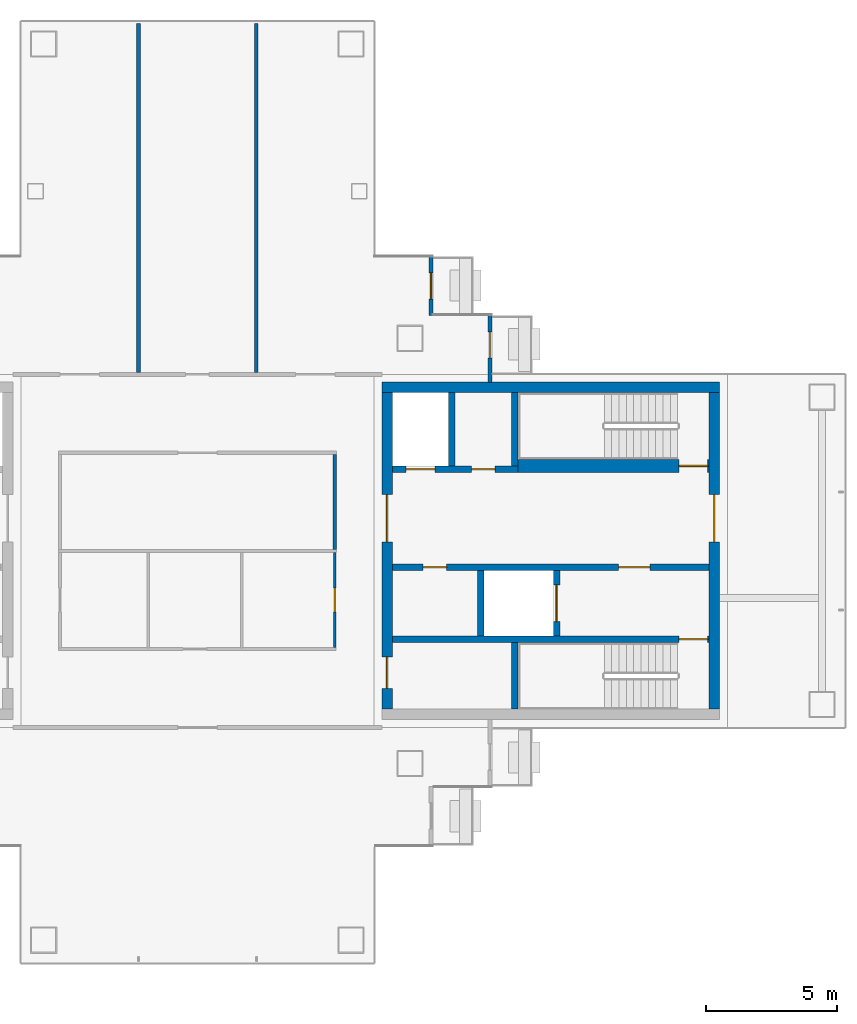
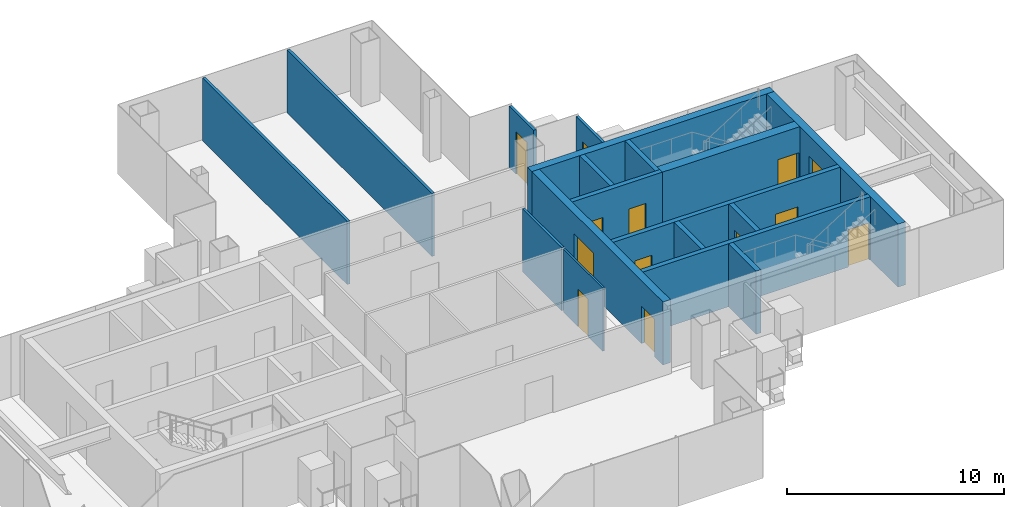
# One storey, part 12 of 16: 18 walls, 13 doors, 13 openings.
"""IFC4 building model written with IfcOpenShell, lengths in metres."""

from ifc_helpers import new_model, si_unit, direction, frame, frame_2d, origin, place, context, subcontext, project, spatial, rectangle, extrude, material, layer, layer_set, type_object, element, fill, save


model = new_model("IFC4")

# Units and contexts
model_context = context("Model", 3, precision=1e-05, world=origin(), true_north=direction((0.0, 1.0)))
body_context = subcontext(model_context, "Body", "Model", "MODEL_VIEW")
ifc_project = project(units=[si_unit("LENGTHUNIT", "METRE"), si_unit("AREAUNIT", "SQUARE_METRE"), si_unit("VOLUMEUNIT", "CUBIC_METRE"), si_unit("PLANEANGLEUNIT", "RADIAN"), si_unit("MASSUNIT", "GRAM", prefix="KILO")], contexts=[model_context])

# Site, building, storey
site_placement = place(None, origin())
site = spatial("IfcSite", under=ifc_project, at=site_placement, CompositionType="ELEMENT")
building_placement = place(site_placement, origin())
building = spatial("IfcBuilding", under=site, at=building_placement, Name="Shamsa Quay Exchange Towers", CompositionType="ELEMENT")
storey_placement = place(building_placement, frame((0.0, 0.0, 186.60009765625)))
storey = spatial("IfcBuildingStorey", under=building, at=storey_placement, Name="L44", CompositionType="ELEMENT", Elevation=186.60009765625)

# Wall, opening, door
ifc_material_1 = material(Name="Aluminium EN AW-6063 T6, black anodised, with black enamelled glass infill", Category="aluminium")
ifc_layer_1 = layer(ifc_material_1, 0.14990234375)
ifc_layer_set_1 = layer_set([ifc_layer_1], Name="BALCONY DOOR BAY WALL 150")
wall_type_1 = type_object("IfcWallType", Name="BALCONY DOOR BAY WALL 150", PredefinedType="SOLIDWALL", material=ifc_layer_set_1)
wall_1_placement = place(storey_placement, frame((42.675048828125, 11.25, 0.0), z_axis=(0.0, 0.0, 1.0), x_axis=(0.0, -1.0, 0.0)))
wall_1 = element("IfcWall", 1, at=wall_1_placement, inside=storey, type_object=wall_type_1, Name="Door bay T2-PKES L44", PredefinedType="SOLIDWALL", context=body_context, shape_type="SweptSolid", body=[
    extrude(rectangle(XDim=2.25, YDim=0.14990234375, at=frame_2d((1.125, 0.0))), origin(), (0.0, 0.0, 1.0), 3.449951171875),
])
opening_1_placement = place(wall_1_placement, frame((0.625, 0.0, 0.0)))
opening_1 = element("IfcOpeningElement", 2, at=opening_1_placement, cuts=wall_1, Name="Opening XD283", PredefinedType="OPENING", context=body_context, shape_type="SweptSolid", body=[
    extrude(rectangle(XDim=1.0, YDim=2.39990234375, at=frame_2d((0.5, 1.199951171875))), frame((0.0, 0.0849609375, 0.0), z_axis=(0.0, -1.0, 0.0), x_axis=(1.0, 0.0, 0.0)), (0.0, 0.0, 1.0), 0.169921875),
])
ifc_material_2 = material(Name="Aluminium EN AW-6063 T6, black anodised, with laminated glass leaf", Category="aluminium")
door_type_1 = type_object("IfcDoorType", Name="BALCONY DOOR 1000x2400", OperationType="SINGLE_SWING_LEFT", PredefinedType="DOOR", material=ifc_material_2)
door_1_placement = place(opening_1_placement, origin())
door_1 = element("IfcDoor", 3, at=door_1_placement, inside=storey, type_object=door_type_1, Name="Balcony door T2-PKES L44", OperationType="SINGLE_SWING_RIGHT", OverallHeight=2.39990234375, OverallWidth=1.0, PredefinedType="DOOR", context=body_context, shape_type="SweptSolid", body=[
    extrude(rectangle(XDim=1.0, YDim=2.39990234375, at=frame_2d((0.5, 1.199951171875))), frame((0.0, 0.02490234375, 0.0), z_axis=(0.0, -1.0, 0.0), x_axis=(1.0, 0.0, 0.0)), (0.0, 0.0, 1.0), 0.050048828125),
])
fill(opening_1, door_1)

wall_2_placement = place(storey_placement, frame((44.925048828125, 9.0, 0.0), z_axis=(0.0, 0.0, 1.0), x_axis=(0.0, -1.0, 0.0)))
wall_2 = element("IfcWall", 4, at=wall_2_placement, inside=storey, type_object=wall_type_1, Name="Door bay T2-PKES L44", PredefinedType="SOLIDWALL", context=body_context, shape_type="SweptSolid", body=[
    extrude(rectangle(XDim=2.556884765625, YDim=0.14990234375, at=frame_2d((1.2783203125, 0.0))), origin(), (0.0, 0.0, 1.0), 3.449951171875),
])
opening_2_placement = place(wall_2_placement, frame((0.625, 0.0, 0.0)))
opening_2 = element("IfcOpeningElement", 5, at=opening_2_placement, cuts=wall_2, Name="Opening XD284", PredefinedType="OPENING", context=body_context, shape_type="SweptSolid", body=[
    extrude(rectangle(XDim=1.0, YDim=2.39990234375, at=frame_2d((0.5, 1.199951171875))), frame((0.0, 0.0849609375, 0.0), z_axis=(0.0, -1.0, 0.0), x_axis=(1.0, 0.0, 0.0)), (0.0, 0.0, 1.0), 0.169921875),
])
door_2_placement = place(opening_2_placement, origin())
door_2 = element("IfcDoor", 6, at=door_2_placement, inside=storey, type_object=door_type_1, Name="Balcony door T2-PKES L44", OperationType="SINGLE_SWING_LEFT", OverallHeight=2.39990234375, OverallWidth=1.0, PredefinedType="DOOR", context=body_context, shape_type="SweptSolid", body=[
    extrude(rectangle(XDim=1.0, YDim=2.39990234375, at=frame_2d((0.5, 1.199951171875))), frame((0.0, 0.02490234375, 0.0), z_axis=(0.0, -1.0, 0.0), x_axis=(1.0, 0.0, 0.0)), (0.0, 0.0, 1.0), 0.050048828125),
])
fill(opening_2, door_2)

# Wall
ifc_material_3 = material(Name="Concrete C60/75", Category="concrete")
ifc_layer_2 = layer(ifc_material_3, 0.39990234375)
ifc_layer_set_2 = layer_set([ifc_layer_2], Name="CORE WALL 400 C60/75")
wall_type_2 = type_object("IfcWallType", Name="CORE WALL 400 C60/75", PredefinedType="SHEAR", material=ifc_layer_set_2)
wall_3_placement = place(storey_placement, frame((53.699951171875, 6.25, 0.0), z_axis=(0.0, 0.0, 1.0), x_axis=(-1.0, 0.0, 0.0)))
element("IfcWall", 7, at=wall_3_placement, inside=storey, type_object=wall_type_2, Name="Core wall T2B-R20-PN", PredefinedType="SHEAR", context=body_context, shape_type="SweptSolid", body=[
    extrude(rectangle(XDim=12.89990234375, YDim=0.39990234375, at=frame_2d((6.449951171875, 0.0))), origin(), (0.0, 0.0, 1.0), 3.5498046875),
])

# Wall, opening, door
wall_4_placement = place(storey_placement, frame((53.5, -6.050048828125, 0.0), z_axis=(0.0, 0.0, 1.0), x_axis=(0.0, 1.0, 0.0)))
wall_4 = element("IfcWall", 8, at=wall_4_placement, inside=storey, type_object=wall_type_2, Name="Core wall T2B-R20-PF", PredefinedType="SHEAR", context=body_context, shape_type="SweptSolid", body=[
    extrude(rectangle(XDim=12.10009765625, YDim=0.39990234375, at=frame_2d((6.050048828125, 0.0))), origin(), (0.0, 0.0, 1.0), 3.5498046875),
])
opening_3_placement = place(wall_4_placement, frame((6.39990234375, 0.0, 0.0)))
opening_3 = element("IfcOpeningElement", 9, at=opening_3_placement, cuts=wall_4, Name="Opening T2B-R20-LBD01", PredefinedType="OPENING", context=body_context, shape_type="SweptSolid", body=[
    extrude(rectangle(XDim=1.800048828125, YDim=2.39990234375, at=frame_2d((0.89990234375, 1.199951171875))), frame((0.0, 0.2099609375, 0.0), z_axis=(0.0, -1.0, 0.0), x_axis=(1.0, 0.0, 0.0)), (0.0, 0.0, 1.0), 0.419921875),
])
ifc_material_4 = material(Name="Steel, fire rated", Category="steel")
door_type_2 = type_object("IfcDoorType", Name="LIFT LOBBY DOOR PAIR 1800", OperationType="DOUBLE_DOOR_SINGLE_SWING", PredefinedType="DOOR", material=ifc_material_4)
door_3_placement = place(opening_3_placement, origin())
door_3 = element("IfcDoor", 10, at=door_3_placement, inside=storey, type_object=door_type_2, Name="T2B-R20-LBD01", OperationType="DOUBLE_DOOR_SINGLE_SWING", OverallHeight=2.39990234375, OverallWidth=1.800048828125, PredefinedType="DOOR", context=body_context, shape_type="SweptSolid", body=[
    extrude(rectangle(XDim=1.800048828125, YDim=2.39990234375, at=frame_2d((0.89990234375, 1.199951171875))), frame((0.0, 0.02490234375, 0.0), z_axis=(0.0, -1.0, 0.0), x_axis=(1.0, 0.0, 0.0)), (0.0, 0.0, 1.0), 0.050048828125),
])
fill(opening_3, door_3)

# Wall, openings, doors
wall_5_placement = place(storey_placement, frame((41.0, -6.050048828125, 0.0), z_axis=(0.0, 0.0, 1.0), x_axis=(0.0, 1.0, 0.0)))
wall_5 = element("IfcWall", 11, at=wall_5_placement, inside=storey, type_object=wall_type_2, Name="Core wall T2B-R20-PB", PredefinedType="SHEAR", context=body_context, shape_type="SweptSolid", body=[
    extrude(rectangle(XDim=12.10009765625, YDim=0.39990234375, at=frame_2d((6.050048828125, 0.0))), origin(), (0.0, 0.0, 1.0), 3.5498046875),
])
opening_4_placement = place(wall_5_placement, frame((0.800048828125, 0.0, 0.0)))
opening_4 = element("IfcOpeningElement", 12, at=opening_4_placement, cuts=wall_5, Name="Opening T2B-R20-RD02", PredefinedType="OPENING", context=body_context, shape_type="SweptSolid", body=[
    extrude(rectangle(XDim=1.199951171875, YDim=2.10009765625, at=frame_2d((0.60009765625, 1.050048828125))), frame((0.0, 0.2099609375, 0.0), z_axis=(0.0, -1.0, 0.0), x_axis=(1.0, 0.0, 0.0)), (0.0, 0.0, 1.0), 0.419921875),
])
opening_5_placement = place(wall_5_placement, frame((6.39990234375, 0.0, 0.0)))
opening_5 = element("IfcOpeningElement", 13, at=opening_5_placement, cuts=wall_5, Name="Opening T2B-R20-LBD03", PredefinedType="OPENING", context=body_context, shape_type="SweptSolid", body=[
    extrude(rectangle(XDim=1.800048828125, YDim=2.39990234375, at=frame_2d((0.89990234375, 1.199951171875))), frame((0.0, 0.2099609375, 0.0), z_axis=(0.0, -1.0, 0.0), x_axis=(1.0, 0.0, 0.0)), (0.0, 0.0, 1.0), 0.419921875),
])
door_4_placement = place(opening_5_placement, origin())
door_4 = element("IfcDoor", 14, at=door_4_placement, inside=storey, type_object=door_type_2, Name="T2B-R20-LBD03", OperationType="DOUBLE_DOOR_SINGLE_SWING", OverallHeight=2.39990234375, OverallWidth=1.800048828125, PredefinedType="DOOR", context=body_context, shape_type="SweptSolid", body=[
    extrude(rectangle(XDim=1.800048828125, YDim=2.39990234375, at=frame_2d((0.89990234375, 1.199951171875))), frame((0.0, 0.02490234375, 0.0), z_axis=(0.0, -1.0, 0.0), x_axis=(1.0, 0.0, 0.0)), (0.0, 0.0, 1.0), 0.050048828125),
])
fill(opening_5, door_4)
door_type_3 = type_object("IfcDoorType", Name="RISER ACCESS DOOR 1200", OperationType="SINGLE_SWING_LEFT", PredefinedType="DOOR", material=ifc_material_4)
door_5_placement = place(opening_4_placement, origin())
door_5 = element("IfcDoor", 15, at=door_5_placement, inside=storey, type_object=door_type_3, Name="T2B-R20-RD02", OperationType="SINGLE_SWING_LEFT", OverallHeight=2.10009765625, OverallWidth=1.199951171875, PredefinedType="DOOR", context=body_context, shape_type="SweptSolid", body=[
    extrude(rectangle(XDim=1.199951171875, YDim=2.10009765625, at=frame_2d((0.60009765625, 1.050048828125))), frame((0.0, 0.02490234375, 0.0), z_axis=(0.0, -1.0, 0.0), x_axis=(1.0, 0.0, 0.0)), (0.0, 0.0, 1.0), 0.050048828125),
])
fill(opening_4, door_5)

# Wall
ifc_material_5 = material(Name="Laminated fire-resisting glass in a metal frame", Category="glass")
ifc_layer_3 = layer(ifc_material_5, 0.125)
ifc_layer_set_3 = layer_set([ifc_layer_3], Name="Glazed partition 125 mm EI 60")
wall_type_3 = type_object("IfcWallType", Name="Glazed partition 125 mm EI 60", PredefinedType="PARTITIONING", material=ifc_layer_set_3)
wall_6_placement = place(storey_placement, frame((39.0, 0.0625, 0.0), z_axis=(0.0, 0.0, 1.0), x_axis=(0.0, 1.0, 0.0)))
element("IfcWall", 16, at=wall_6_placement, inside=storey, type_object=wall_type_3, Name="Partition T2-R20-W04", PredefinedType="PARTITIONING", context=body_context, shape_type="SweptSolid", body=[
    extrude(rectangle(XDim=3.625, YDim=0.125, at=frame_2d((1.8125, 0.0))), origin(), (0.0, 0.0, 1.0), 3.5498046875),
])

# Wall, opening, door
ifc_material_6 = material(Name="Gypsum board partition on metal studs")
ifc_layer_4 = layer(ifc_material_6, 0.10009765625)
ifc_layer_set_4 = layer_set([ifc_layer_4], Name="Partition 100 mm NOT RATED")
wall_type_4 = type_object("IfcWallType", Name="Partition 100 mm NOT RATED", PredefinedType="PARTITIONING", material=ifc_layer_set_4)
wall_7_placement = place(storey_placement, frame((39.0, -3.699951171875, 0.0), z_axis=(0.0, 0.0, 1.0), x_axis=(0.0, 1.0, 0.0)))
wall_7 = element("IfcWall", 17, at=wall_7_placement, inside=storey, type_object=wall_type_4, Name="Partition T2-R20-W01", PredefinedType="PARTITIONING", context=body_context, shape_type="SweptSolid", body=[
    extrude(rectangle(XDim=3.637451171875, YDim=0.10009765625, at=frame_2d((1.81884765625, 0.0))), origin(), (0.0, 0.0, 1.0), 3.5498046875),
])
opening_6_placement = place(wall_7_placement, frame((1.375, 0.0, 0.0)))
opening_6 = element("IfcOpeningElement", 18, at=opening_6_placement, cuts=wall_7, Name="Opening T2-R20-D05", PredefinedType="OPENING", context=body_context, shape_type="SweptSolid", body=[
    extrude(rectangle(XDim=0.89990234375, YDim=2.10009765625, at=frame_2d((0.449951171875, 1.050048828125))), frame((0.0, 0.06005859375, 0.0), z_axis=(0.0, -1.0, 0.0), x_axis=(1.0, 0.0, 0.0)), (0.0, 0.0, 1.0), 0.1201171875),
])
ifc_material_7 = material(Name="Timber door leaf in a metal frame", Category="wood")
door_type_4 = type_object("IfcDoorType", Name="Door 900x2100 NOT RATED", OperationType="NOTDEFINED", PredefinedType="DOOR", material=ifc_material_7)
door_6_placement = place(opening_6_placement, origin())
door_6 = element("IfcDoor", 19, at=door_6_placement, inside=storey, type_object=door_type_4, Name="Door T2-R20-D05", OperationType="SINGLE_SWING_RIGHT", OverallHeight=2.10009765625, OverallWidth=0.89990234375, PredefinedType="DOOR", context=body_context, shape_type="SweptSolid", body=[
    extrude(rectangle(XDim=0.89990234375, YDim=2.10009765625, at=frame_2d((0.449951171875, 1.050048828125))), frame((0.0, 0.02490234375, 0.0), z_axis=(0.0, -1.0, 0.0), x_axis=(1.0, 0.0, 0.0)), (0.0, 0.0, 1.0), 0.050048828125),
])
fill(opening_6, door_6)

# Walls
ifc_layer_5 = layer(ifc_material_6, 0.14990234375)
ifc_layer_set_5 = layer_set([ifc_layer_5], Name="Partition 150 mm EI 60")
wall_type_5 = type_object("IfcWallType", Name="Partition 150 mm EI 60", PredefinedType="PARTITIONING", material=ifc_layer_set_5)
for number, where, z_axis, x_axis, name in (
    (20, (36.0, 20.155029296875, 0.0), (0.0, 0.0, 1.0), (0.0, -1.0, 0.0), "Partition T2-R20-W12"),
    (21, (31.5, 20.155029296875, 0.0), (0.0, 0.0, 1.0), (0.0, -1.0, 0.0), "Partition T2-R20-W13"),
):
    element("IfcWall", number, at=place(storey_placement, frame(where, z_axis=z_axis, x_axis=x_axis)), inside=storey, type_object=wall_type_5, Name=name, PredefinedType="PARTITIONING", context=body_context, shape_type="SweptSolid", body=[
        extrude(rectangle(XDim=13.330078125, YDim=0.14990234375, at=frame_2d((6.6650390625, 0.0))), origin(), (0.0, 0.0, 1.0), 3.5498046875),
    ])

# Wall, opening, door
ifc_material_8 = material(Name="Concrete C50/60", Category="concrete")
ifc_layer_6 = layer(ifc_material_8, 0.25)
ifc_layer_set_6 = layer_set([ifc_layer_6], Name="SHAFT WALL 250 C50/60")
wall_type_6 = type_object("IfcWallType", Name="SHAFT WALL 250 C50/60", PredefinedType="SHEAR", material=ifc_layer_set_6)
wall_8_placement = place(storey_placement, frame((53.300048828125, -3.375, 0.0), z_axis=(0.0, 0.0, 1.0), x_axis=(-1.0, 0.0, 0.0)))
wall_8 = element("IfcWall", 22, at=wall_8_placement, inside=storey, type_object=wall_type_6, Name="Shaft wall T2B-R20-STL", PredefinedType="SHEAR", context=body_context, shape_type="SweptSolid", body=[
    extrude(rectangle(XDim=12.10009765625, YDim=0.25, at=frame_2d((6.050048828125, 0.0))), origin(), (0.0, 0.0, 1.0), 3.5498046875),
])
opening_7_placement = place(wall_8_placement, frame((0.050048828125, 0.0, 0.0)))
opening_7 = element("IfcOpeningElement", 23, at=opening_7_placement, cuts=wall_8, Name="Opening T2B-R20-SD04", PredefinedType="OPENING", context=body_context, shape_type="SweptSolid", body=[
    extrude(rectangle(XDim=1.10009765625, YDim=2.10009765625, at=frame_2d((0.550048828125, 1.050048828125))), frame((0.0, 0.135009765625, 0.0), z_axis=(0.0, -1.0, 0.0), x_axis=(1.0, 0.0, 0.0)), (0.0, 0.0, 1.0), 0.27001953125),
])
door_type_5 = type_object("IfcDoorType", Name="STAIR DOOR 1100", OperationType="SINGLE_SWING_LEFT", PredefinedType="DOOR", material=ifc_material_4)
door_7_placement = place(opening_7_placement, origin())
door_7 = element("IfcDoor", 24, at=door_7_placement, inside=storey, type_object=door_type_5, Name="T2B-R20-SD04", OperationType="SINGLE_SWING_LEFT", OverallHeight=2.10009765625, OverallWidth=1.10009765625, PredefinedType="DOOR", context=body_context, shape_type="SweptSolid", body=[
    extrude(rectangle(XDim=1.10009765625, YDim=2.10009765625, at=frame_2d((0.550048828125, 1.050048828125))), frame((0.0, 0.02490234375, 0.0), z_axis=(0.0, -1.0, 0.0), x_axis=(1.0, 0.0, 0.0)), (0.0, 0.0, 1.0), 0.050048828125),
])
fill(opening_7, door_7)

# Wall
wall_9_placement = place(storey_placement, frame((45.875, -6.050048828125, 0.0), z_axis=(0.0, 0.0, 1.0), x_axis=(0.0, 1.0, 0.0)))
element("IfcWall", 25, at=wall_9_placement, inside=storey, type_object=wall_type_6, Name="Shaft wall T2B-R20-STF", PredefinedType="SHEAR", context=body_context, shape_type="SweptSolid", body=[
    extrude(rectangle(XDim=2.550048828125, YDim=0.25, at=frame_2d((1.27490234375, 0.0))), origin(), (0.0, 0.0, 1.0), 3.5498046875),
])

# Wall, openings, doors
wall_10_placement = place(storey_placement, frame((53.300048828125, -0.625, 0.0), z_axis=(0.0, 0.0, 1.0), x_axis=(-1.0, 0.0, 0.0)))
wall_10 = element("IfcWall", 26, at=wall_10_placement, inside=storey, type_object=wall_type_6, Name="Shaft wall T2B-R20-B", PredefinedType="SHEAR", context=body_context, shape_type="SweptSolid", body=[
    extrude(rectangle(XDim=12.10009765625, YDim=0.25, at=frame_2d((6.050048828125, 0.0))), origin(), (0.0, 0.0, 1.0), 3.5498046875),
])
opening_8_placement = place(wall_10_placement, frame((2.25, 0.0, 0.0)))
opening_8 = element("IfcOpeningElement", 27, at=opening_8_placement, cuts=wall_10, Name="Opening T2B-R20-FD05", PredefinedType="OPENING", context=body_context, shape_type="SweptSolid", body=[
    extrude(rectangle(XDim=1.199951171875, YDim=2.10009765625, at=frame_2d((0.60009765625, 1.050048828125))), frame((0.0, 0.135009765625, 0.0), z_axis=(0.0, -1.0, 0.0), x_axis=(1.0, 0.0, 0.0)), (0.0, 0.0, 1.0), 0.27001953125),
])
opening_9_placement = place(wall_10_placement, frame((10.02490234375, 0.0, 0.0)))
opening_9 = element("IfcOpeningElement", 28, at=opening_9_placement, cuts=wall_10, Name="Opening T2B-R20-SV06", PredefinedType="OPENING", context=body_context, shape_type="SweptSolid", body=[
    extrude(rectangle(XDim=0.89990234375, YDim=2.10009765625, at=frame_2d((0.449951171875, 1.050048828125))), frame((0.0, 0.135009765625, 0.0), z_axis=(0.0, -1.0, 0.0), x_axis=(1.0, 0.0, 0.0)), (0.0, 0.0, 1.0), 0.27001953125),
])
door_type_6 = type_object("IfcDoorType", Name="FIRE SERVICE LOBBY DOOR 1200", OperationType="SINGLE_SWING_LEFT", PredefinedType="DOOR", material=ifc_material_4)
door_8_placement = place(opening_8_placement, origin())
door_8 = element("IfcDoor", 29, at=door_8_placement, inside=storey, type_object=door_type_6, Name="T2B-R20-FD05", OperationType="SINGLE_SWING_LEFT", OverallHeight=2.10009765625, OverallWidth=1.199951171875, PredefinedType="DOOR", context=body_context, shape_type="SweptSolid", body=[
    extrude(rectangle(XDim=1.199951171875, YDim=2.10009765625, at=frame_2d((0.60009765625, 1.050048828125))), frame((0.0, 0.02490234375, 0.0), z_axis=(0.0, -1.0, 0.0), x_axis=(1.0, 0.0, 0.0)), (0.0, 0.0, 1.0), 0.050048828125),
])
fill(opening_8, door_8)
door_type_7 = type_object("IfcDoorType", Name="SERVICE ROOM DOOR 900", OperationType="SINGLE_SWING_LEFT", PredefinedType="DOOR", material=ifc_material_4)
door_9_placement = place(opening_9_placement, origin())
door_9 = element("IfcDoor", 30, at=door_9_placement, inside=storey, type_object=door_type_7, Name="T2B-R20-SV06", OperationType="SINGLE_SWING_RIGHT", OverallHeight=2.10009765625, OverallWidth=0.89990234375, PredefinedType="DOOR", context=body_context, shape_type="SweptSolid", body=[
    extrude(rectangle(XDim=0.89990234375, YDim=2.10009765625, at=frame_2d((0.449951171875, 1.050048828125))), frame((0.0, 0.02490234375, 0.0), z_axis=(0.0, -1.0, 0.0), x_axis=(1.0, 0.0, 0.0)), (0.0, 0.0, 1.0), 0.050048828125),
])
fill(opening_9, door_9)

# Wall, opening, door
wall_11_placement = place(storey_placement, frame((47.47509765625, -3.25, 0.0), z_axis=(0.0, 0.0, 1.0), x_axis=(0.0, 1.0, 0.0)))
wall_11 = element("IfcWall", 31, at=wall_11_placement, inside=storey, type_object=wall_type_6, Name="Shaft wall T2B-R20-FFF", PredefinedType="SHEAR", context=body_context, shape_type="SweptSolid", body=[
    extrude(rectangle(XDim=2.5, YDim=0.25, at=frame_2d((1.25, 0.0))), origin(), (0.0, 0.0, 1.0), 3.5498046875),
])
opening_10_placement = place(wall_11_placement, frame((0.550048828125, 0.0, 0.0)))
opening_10 = element("IfcOpeningElement", 32, at=opening_10_placement, cuts=wall_11, Name="Opening T2B-R20-LDG07", PredefinedType="OPENING", context=body_context, shape_type="SweptSolid", body=[
    extrude(rectangle(XDim=1.39990234375, YDim=2.39990234375, at=frame_2d((0.699951171875, 1.199951171875))), frame((0.0, 0.135009765625, 0.0), z_axis=(0.0, -1.0, 0.0), x_axis=(1.0, 0.0, 0.0)), (0.0, 0.0, 1.0), 0.27001953125),
])
door_type_8 = type_object("IfcDoorType", Name="GOODS LIFT LANDING DOOR 1400", OperationType="SLIDING_TO_LEFT", PredefinedType="DOOR", material=ifc_material_4)
door_10_placement = place(opening_10_placement, origin())
door_10 = element("IfcDoor", 33, at=door_10_placement, inside=storey, type_object=door_type_8, Name="T2B-R20-LDG07", OperationType="SLIDING_TO_LEFT", OverallHeight=2.39990234375, OverallWidth=1.39990234375, PredefinedType="DOOR", context=body_context, shape_type="SweptSolid", body=[
    extrude(rectangle(XDim=1.39990234375, YDim=2.39990234375, at=frame_2d((0.699951171875, 1.199951171875))), frame((0.0, 0.02490234375, 0.0), z_axis=(0.0, -1.0, 0.0), x_axis=(1.0, 0.0, 0.0)), (0.0, 0.0, 1.0), 0.050048828125),
])
fill(opening_10, door_10)

# Wall
wall_12_placement = place(storey_placement, frame((44.574951171875, -3.25, 0.0), z_axis=(0.0, 0.0, 1.0), x_axis=(0.0, 1.0, 0.0)))
element("IfcWall", 34, at=wall_12_placement, inside=storey, type_object=wall_type_6, Name="Shaft wall T2B-R20-FFB", PredefinedType="SHEAR", context=body_context, shape_type="SweptSolid", body=[
    extrude(rectangle(XDim=2.5, YDim=0.25, at=frame_2d((1.25, 0.0))), origin(), (0.0, 0.0, 1.0), 3.5498046875),
])

# Wall, openings, doors
wall_13_placement = place(storey_placement, frame((41.199951171875, 3.125, 0.0)))
wall_13 = element("IfcWall", 35, at=wall_13_placement, inside=storey, type_object=wall_type_6, Name="Shaft wall T2B-R20-N2", PredefinedType="SHEAR", context=body_context, shape_type="SweptSolid", body=[
    extrude(rectangle(XDim=4.800048828125, YDim=0.25, at=frame_2d((2.39990234375, 0.0))), origin(), (0.0, 0.0, 1.0), 3.5498046875),
])
opening_11_placement = place(wall_13_placement, frame((0.52490234375, 0.0, 0.0)))
opening_11 = element("IfcOpeningElement", 36, at=opening_11_placement, cuts=wall_13, Name="Opening T2B-R20-LD09", PredefinedType="OPENING", context=body_context, shape_type="SweptSolid", body=[
    extrude(rectangle(XDim=1.10009765625, YDim=2.10009765625, at=frame_2d((0.550048828125, 1.050048828125))), frame((0.0, 0.135009765625, 0.0), z_axis=(0.0, -1.0, 0.0), x_axis=(1.0, 0.0, 0.0)), (0.0, 0.0, 1.0), 0.27001953125),
])
opening_12_placement = place(wall_13_placement, frame((3.02490234375, 0.0, 0.0)))
opening_12 = element("IfcOpeningElement", 37, at=opening_12_placement, cuts=wall_13, Name="Opening T2B-R20-SV10", PredefinedType="OPENING", context=body_context, shape_type="SweptSolid", body=[
    extrude(rectangle(XDim=0.89990234375, YDim=2.10009765625, at=frame_2d((0.449951171875, 1.050048828125))), frame((0.0, 0.135009765625, 0.0), z_axis=(0.0, -1.0, 0.0), x_axis=(1.0, 0.0, 0.0)), (0.0, 0.0, 1.0), 0.27001953125),
])
door_type_9 = type_object("IfcDoorType", Name="LANDING DOOR 1100", OperationType="SLIDING_TO_LEFT", PredefinedType="DOOR", material=ifc_material_4)
door_11_placement = place(opening_11_placement, origin())
door_11 = element("IfcDoor", 38, at=door_11_placement, inside=storey, type_object=door_type_9, Name="T2B-R20-LD09", OperationType="SLIDING_TO_LEFT", OverallHeight=2.10009765625, OverallWidth=1.10009765625, PredefinedType="DOOR", context=body_context, shape_type="SweptSolid", body=[
    extrude(rectangle(XDim=1.10009765625, YDim=2.10009765625, at=frame_2d((0.550048828125, 1.050048828125))), frame((0.0, 0.02490234375, 0.0), z_axis=(0.0, -1.0, 0.0), x_axis=(1.0, 0.0, 0.0)), (0.0, 0.0, 1.0), 0.050048828125),
])
fill(opening_11, door_11)
door_12_placement = place(opening_12_placement, origin())
door_12 = element("IfcDoor", 39, at=door_12_placement, inside=storey, type_object=door_type_7, Name="T2B-R20-SV10", OperationType="SINGLE_SWING_RIGHT", OverallHeight=2.10009765625, OverallWidth=0.89990234375, PredefinedType="DOOR", context=body_context, shape_type="SweptSolid", body=[
    extrude(rectangle(XDim=0.89990234375, YDim=2.10009765625, at=frame_2d((0.449951171875, 1.050048828125))), frame((0.0, 0.02490234375, 0.0), z_axis=(0.0, -1.0, 0.0), x_axis=(1.0, 0.0, 0.0)), (0.0, 0.0, 1.0), 0.050048828125),
])
fill(opening_12, door_12)

# Walls
for number, where, z_axis, x_axis, name in (
    (40, (45.875, 3.25, 0.0), (0.0, 0.0, 1.0), (0.0, 1.0, 0.0), "Shaft wall T2B-R20-STF2"),
    (41, (43.47509765625, 3.25, 0.0), (0.0, 0.0, 1.0), (0.0, 1.0, 0.0), "Shaft wall T2B-R20-D0"),
):
    element("IfcWall", number, at=place(storey_placement, frame(where, z_axis=z_axis, x_axis=x_axis)), inside=storey, type_object=wall_type_6, Name=name, PredefinedType="SHEAR", context=body_context, shape_type="SweptSolid", body=[
        extrude(rectangle(XDim=2.800048828125, YDim=0.25, at=frame_2d((1.39990234375, 0.0))), origin(), (0.0, 0.0, 1.0), 3.5498046875),
    ])

# Wall, opening, door
ifc_layer_7 = layer(ifc_material_8, 0.5)
ifc_layer_set_7 = layer_set([ifc_layer_7], Name="SHAFT WALL 500 C50/60")
wall_type_7 = type_object("IfcWallType", Name="SHAFT WALL 500 C50/60", PredefinedType="SHEAR", material=ifc_layer_set_7)
wall_14_placement = place(storey_placement, frame((46.0, 3.25, 0.0)))
wall_14 = element("IfcWall", 42, at=wall_14_placement, inside=storey, type_object=wall_type_7, Name="Shaft wall T2B-R20-N", PredefinedType="SHEAR", context=body_context, shape_type="SweptSolid", body=[
    extrude(rectangle(XDim=7.300048828125, YDim=0.5, at=frame_2d((3.64990234375, 0.0))), origin(), (0.0, 0.0, 1.0), 3.5498046875),
])
opening_13_placement = place(wall_14_placement, frame((6.14990234375, 0.0, 0.0)))
opening_13 = element("IfcOpeningElement", 43, at=opening_13_placement, cuts=wall_14, Name="Opening T2B-R20-SD08", PredefinedType="OPENING", context=body_context, shape_type="SweptSolid", body=[
    extrude(rectangle(XDim=1.10009765625, YDim=2.10009765625, at=frame_2d((0.550048828125, 1.050048828125))), frame((0.0, 0.260009765625, 0.0), z_axis=(0.0, -1.0, 0.0), x_axis=(1.0, 0.0, 0.0)), (0.0, 0.0, 1.0), 0.52001953125),
])
door_13_placement = place(opening_13_placement, origin())
door_13 = element("IfcDoor", 44, at=door_13_placement, inside=storey, type_object=door_type_5, Name="T2B-R20-SD08", OperationType="SINGLE_SWING_RIGHT", OverallHeight=2.10009765625, OverallWidth=1.10009765625, PredefinedType="DOOR", context=body_context, shape_type="SweptSolid", body=[
    extrude(rectangle(XDim=1.10009765625, YDim=2.10009765625, at=frame_2d((0.550048828125, 1.050048828125))), frame((0.0, 0.02490234375, 0.0), z_axis=(0.0, -1.0, 0.0), x_axis=(1.0, 0.0, 0.0)), (0.0, 0.0, 1.0), 0.050048828125),
])
fill(opening_13, door_13)

save(model, "model.ifc")
